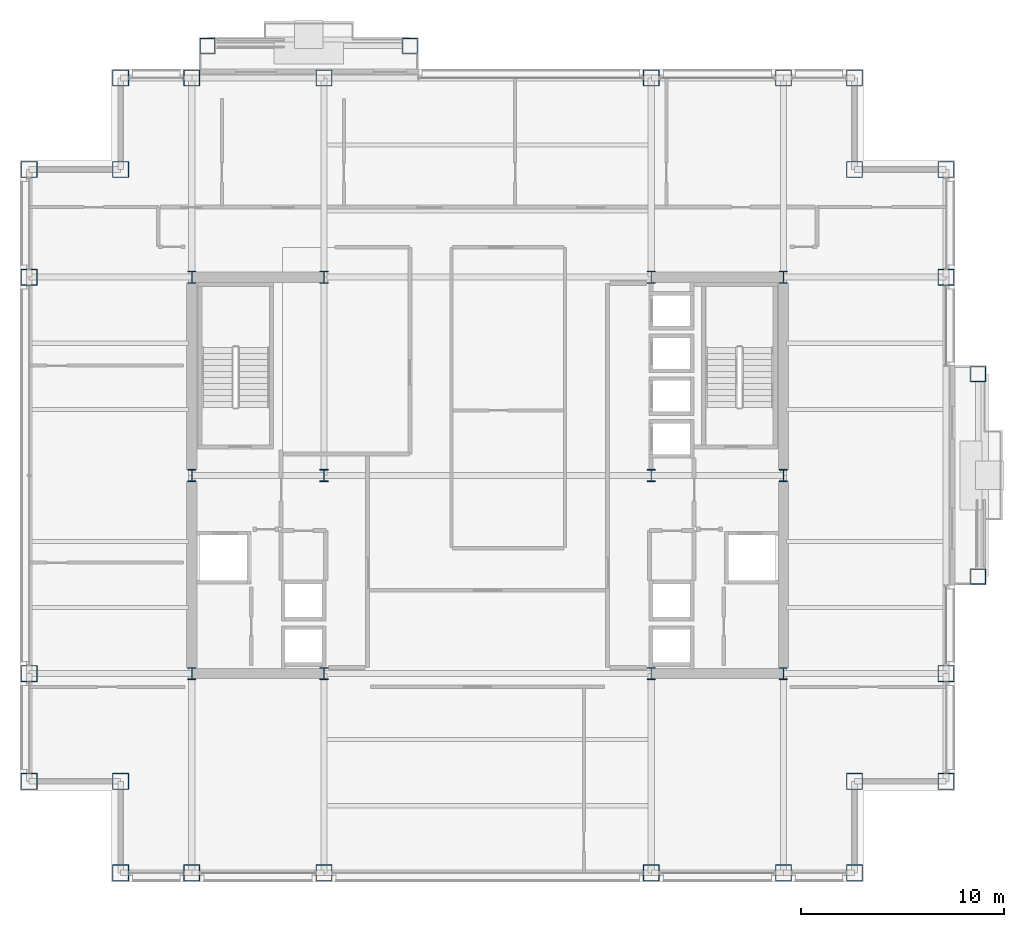
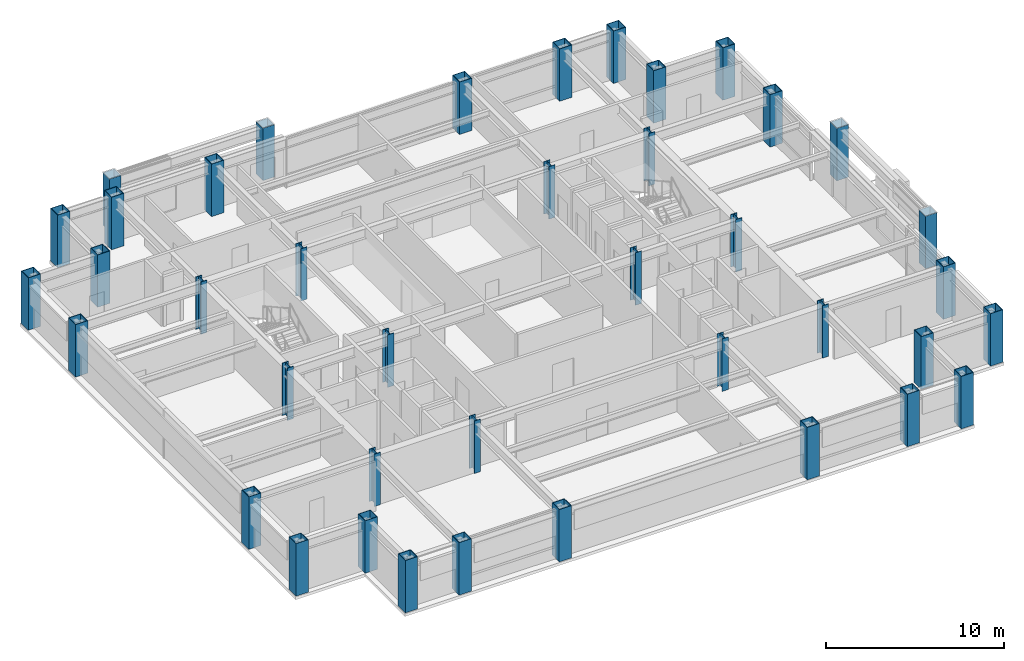
# One storey, part 1 of 29: 40 columns.
"""IFC4 building model written with IfcOpenShell, lengths in metres."""

from ifc_helpers import new_model, si_unit, direction, frame, origin, origin_2d, place, context, subcontext, project, spatial, hollow_rectangle, i_section, extrude, material, material_profile, profile_set, type_object, element, save


model = new_model("IFC4")

# Units and contexts
model_context = context("Model", 3, precision=1e-05, world=origin(), true_north=direction((0.0, 1.0)))
body_context = subcontext(model_context, "Body", "Model", "MODEL_VIEW")
ifc_project = project(units=[si_unit("LENGTHUNIT", "METRE"), si_unit("AREAUNIT", "SQUARE_METRE"), si_unit("VOLUMEUNIT", "CUBIC_METRE"), si_unit("PLANEANGLEUNIT", "RADIAN"), si_unit("MASSUNIT", "GRAM", prefix="KILO")], contexts=[model_context])

# Site, building, storey
site_placement = place(None, origin())
site = spatial("IfcSite", under=ifc_project, at=site_placement, CompositionType="ELEMENT")
building_placement = place(site_placement, origin())
building = spatial("IfcBuilding", under=site, at=building_placement, Name="Brelmoor Portico Tower", CompositionType="ELEMENT")
storey_placement = place(building_placement, frame((0.0, 0.0, 138.60009765625)))
storey = spatial("IfcBuildingStorey", under=building, at=storey_placement, Name="L36", CompositionType="ELEMENT", Elevation=138.60009765625)

# Columns
ifc_material = material(Name="Steel Q355B", Category="steel")
ifc_material_profile_1 = material_profile(ifc_material, hollow_rectangle(XDim=0.75, YDim=0.75, WallThickness=0.031982421875, at=origin_2d()), Name="BOX 750x750x32")
ifc_profile_set_1 = profile_set([ifc_material_profile_1], Name="Steel Q355B")
column_type_1 = type_object("IfcColumnType", Name="COL-MEGA-750", PredefinedType="COLUMN", material=ifc_profile_set_1)
for number, where, z_axis, x_axis, name in (
    (1, (-13.780029296875, 21.1298828125, 0.0), (0.0, 0.0, 1.0), (1.0, 0.0, 0.0), "L36 Proud Picture-Frame Pier PFJ-N1"),
    (2, (-3.820068359375, 21.1298828125, 0.0), (0.0, 0.0, 1.0), (1.0, 0.0, 0.0), "L36 Proud Picture-Frame Pier PFJ-N2"),
    (3, (24.1298828125, -4.97998046875, 0.0), (0.0, 0.0, 1.0), (0.0, 1.0, 0.0), "L36 Proud Picture-Frame Pier PFJ-E1"),
    (4, (24.1298828125, 4.97998046875, 0.0), (0.0, 0.0, 1.0), (0.0, 1.0, 0.0), "L36 Proud Picture-Frame Pier PFJ-E2"),
):
    element("IfcColumn", number, at=place(storey_placement, frame(where, z_axis=z_axis, x_axis=x_axis)), inside=storey, type_object=column_type_1, Name=name, PredefinedType="COLUMN", context=body_context, shape_type="SweptSolid", body=[
        extrude(hollow_rectangle(XDim=0.75, YDim=0.75, WallThickness=0.031982421875, at=origin_2d()), origin(), (0.0, 0.0, 1.0), 3.599853515625),
    ])
ifc_material_profile_2 = material_profile(ifc_material, hollow_rectangle(XDim=0.800048828125, YDim=0.800048828125, WallThickness=0.035888671875, at=origin_2d()), Name="BOX 800x800x36")
ifc_profile_set_2 = profile_set([ifc_material_profile_2], Name="Steel Q355B")
column_type_2 = type_object("IfcColumnType", Name="COL-MEGA-800", PredefinedType="COLUMN", material=ifc_profile_set_2)
for number, where, z_axis, x_axis, name in (
    (5, (-18.050048828125, -19.550048828125, 0.0), (0.0, 0.0, 1.0), (1.0, 0.0, 0.0), "L36 Perimeter Mega-Column PS01"),
    (6, (-14.550048828125, -19.550048828125, 0.0), (0.0, 0.0, 1.0), (1.0, 0.0, 0.0), "L36 Perimeter Mega-Column PS02"),
    (7, (-8.050048828125, -19.550048828125, 0.0), (0.0, 0.0, 1.0), (1.0, 0.0, 0.0), "L36 Perimeter Mega-Column PS03"),
    (8, (8.050048828125, -19.550048828125, 0.0), (0.0, 0.0, 1.0), (1.0, 0.0, 0.0), "L36 Perimeter Mega-Column PS04"),
    (9, (14.550048828125, -19.550048828125, 0.0), (0.0, 0.0, 1.0), (1.0, 0.0, 0.0), "L36 Perimeter Mega-Column PS05"),
    (10, (18.050048828125, -19.550048828125, 0.0), (0.0, 0.0, 1.0), (1.0, 0.0, 0.0), "L36 Perimeter Mega-Column PS06"),
    (11, (-18.050048828125, 19.550048828125, 0.0), (0.0, 0.0, 1.0), (1.0, 0.0, 0.0), "L36 Perimeter Mega-Column PN01"),
    (12, (-14.550048828125, 19.550048828125, 0.0), (0.0, 0.0, 1.0), (1.0, 0.0, 0.0), "L36 Perimeter Mega-Column PN02"),
    (13, (-8.050048828125, 19.550048828125, 0.0), (0.0, 0.0, 1.0), (1.0, 0.0, 0.0), "L36 Perimeter Mega-Column PN03"),
    (14, (8.050048828125, 19.550048828125, 0.0), (0.0, 0.0, 1.0), (1.0, 0.0, 0.0), "L36 Perimeter Mega-Column PN04"),
    (15, (14.550048828125, 19.550048828125, 0.0), (0.0, 0.0, 1.0), (1.0, 0.0, 0.0), "L36 Perimeter Mega-Column PN05"),
    (16, (18.050048828125, 19.550048828125, 0.0), (0.0, 0.0, 1.0), (1.0, 0.0, 0.0), "L36 Perimeter Mega-Column PN06"),
    (17, (-22.550048828125, -15.050048828125, 0.0), (0.0, 0.0, 1.0), (0.0, 1.0, 0.0), "L36 Perimeter Mega-Column PW01"),
    (18, (-22.550048828125, -9.75, 0.0), (0.0, 0.0, 1.0), (0.0, 1.0, 0.0), "L36 Perimeter Mega-Column PW02"),
    (19, (-22.550048828125, 9.75, 0.0), (0.0, 0.0, 1.0), (0.0, 1.0, 0.0), "L36 Perimeter Mega-Column PW03"),
    (20, (-22.550048828125, 15.050048828125, 0.0), (0.0, 0.0, 1.0), (0.0, 1.0, 0.0), "L36 Perimeter Mega-Column PW04"),
    (21, (22.550048828125, -15.050048828125, 0.0), (0.0, 0.0, 1.0), (0.0, 1.0, 0.0), "L36 Perimeter Mega-Column PE01"),
    (22, (22.550048828125, -9.75, 0.0), (0.0, 0.0, 1.0), (0.0, 1.0, 0.0), "L36 Perimeter Mega-Column PE02"),
    (23, (22.550048828125, 9.75, 0.0), (0.0, 0.0, 1.0), (0.0, 1.0, 0.0), "L36 Perimeter Mega-Column PE03"),
    (24, (22.550048828125, 15.050048828125, 0.0), (0.0, 0.0, 1.0), (0.0, 1.0, 0.0), "L36 Perimeter Mega-Column PE04"),
    (25, (-18.050048828125, 15.050048828125, 0.0), (0.0, 0.0, 1.0), (1.0, 0.0, 0.0), "L36 Perimeter Mega-Column PC-NW"),
    (26, (18.050048828125, 15.050048828125, 0.0), (0.0, 0.0, 1.0), (1.0, 0.0, 0.0), "L36 Perimeter Mega-Column PC-NE"),
    (27, (18.050048828125, -15.050048828125, 0.0), (0.0, 0.0, 1.0), (1.0, 0.0, 0.0), "L36 Perimeter Mega-Column PC-SE"),
    (28, (-18.050048828125, -15.050048828125, 0.0), (0.0, 0.0, 1.0), (1.0, 0.0, 0.0), "L36 Perimeter Mega-Column PC-SW"),
):
    element("IfcColumn", number, at=place(storey_placement, frame(where, z_axis=z_axis, x_axis=x_axis)), inside=storey, type_object=column_type_2, Name=name, PredefinedType="COLUMN", context=body_context, shape_type="SweptSolid", body=[
        extrude(hollow_rectangle(XDim=0.800048828125, YDim=0.800048828125, WallThickness=0.035888671875, at=origin_2d()), origin(), (0.0, 0.0, 1.0), 3.599853515625),
    ])
ifc_material_profile_3 = material_profile(ifc_material, i_section(OverallWidth=0.39990234375, OverallDepth=0.60009765625, WebThickness=0.02197265625, FlangeThickness=0.035888671875, at=origin_2d()), Name="HW 600x400x22x36")
ifc_profile_set_3 = profile_set([ifc_material_profile_3], Name="Steel Q355B")
column_type_3 = type_object("IfcColumnType", Name="COL-SPINE-600", PredefinedType="COLUMN", material=ifc_profile_set_3)
for number, where, z_axis, x_axis, name in (
    (29, (-14.550048828125, -9.75, 0.0), (0.0, 0.0, 1.0), (1.0, 0.0, 0.0), "L36 Core Spine Column CW-SW"),
    (30, (-14.550048828125, 0.0, 0.0), (0.0, 0.0, 1.0), (1.0, 0.0, 0.0), "L36 Core Spine Column CW-MW"),
    (31, (-14.550048828125, 9.75, 0.0), (0.0, 0.0, 1.0), (1.0, 0.0, 0.0), "L36 Core Spine Column CW-NW"),
    (32, (-8.050048828125, -9.75, 0.0), (0.0, 0.0, 1.0), (1.0, 0.0, 0.0), "L36 Core Spine Column CW-SE"),
    (33, (-8.050048828125, 0.0, 0.0), (0.0, 0.0, 1.0), (1.0, 0.0, 0.0), "L36 Core Spine Column CW-ME"),
    (34, (-8.050048828125, 9.75, 0.0), (0.0, 0.0, 1.0), (1.0, 0.0, 0.0), "L36 Core Spine Column CW-NE"),
    (35, (8.050048828125, -9.75, 0.0), (0.0, 0.0, 1.0), (1.0, 0.0, 0.0), "L36 Core Spine Column CE-SW"),
    (36, (8.050048828125, 0.0, 0.0), (0.0, 0.0, 1.0), (1.0, 0.0, 0.0), "L36 Core Spine Column CE-MW"),
    (37, (8.050048828125, 9.75, 0.0), (0.0, 0.0, 1.0), (1.0, 0.0, 0.0), "L36 Core Spine Column CE-NW"),
    (38, (14.550048828125, -9.75, 0.0), (0.0, 0.0, 1.0), (1.0, 0.0, 0.0), "L36 Core Spine Column CE-SE"),
    (39, (14.550048828125, 0.0, 0.0), (0.0, 0.0, 1.0), (1.0, 0.0, 0.0), "L36 Core Spine Column CE-ME"),
    (40, (14.550048828125, 9.75, 0.0), (0.0, 0.0, 1.0), (1.0, 0.0, 0.0), "L36 Core Spine Column CE-NE"),
):
    element("IfcColumn", number, at=place(storey_placement, frame(where, z_axis=z_axis, x_axis=x_axis)), inside=storey, type_object=column_type_3, Name=name, PredefinedType="COLUMN", context=body_context, shape_type="SweptSolid", body=[
        extrude(i_section(OverallWidth=0.39990234375, OverallDepth=0.60009765625, WebThickness=0.02197265625, FlangeThickness=0.035888671875, at=origin_2d()), origin(), (0.0, 0.0, 1.0), 3.599853515625),
    ])

save(model, "model.ifc")
